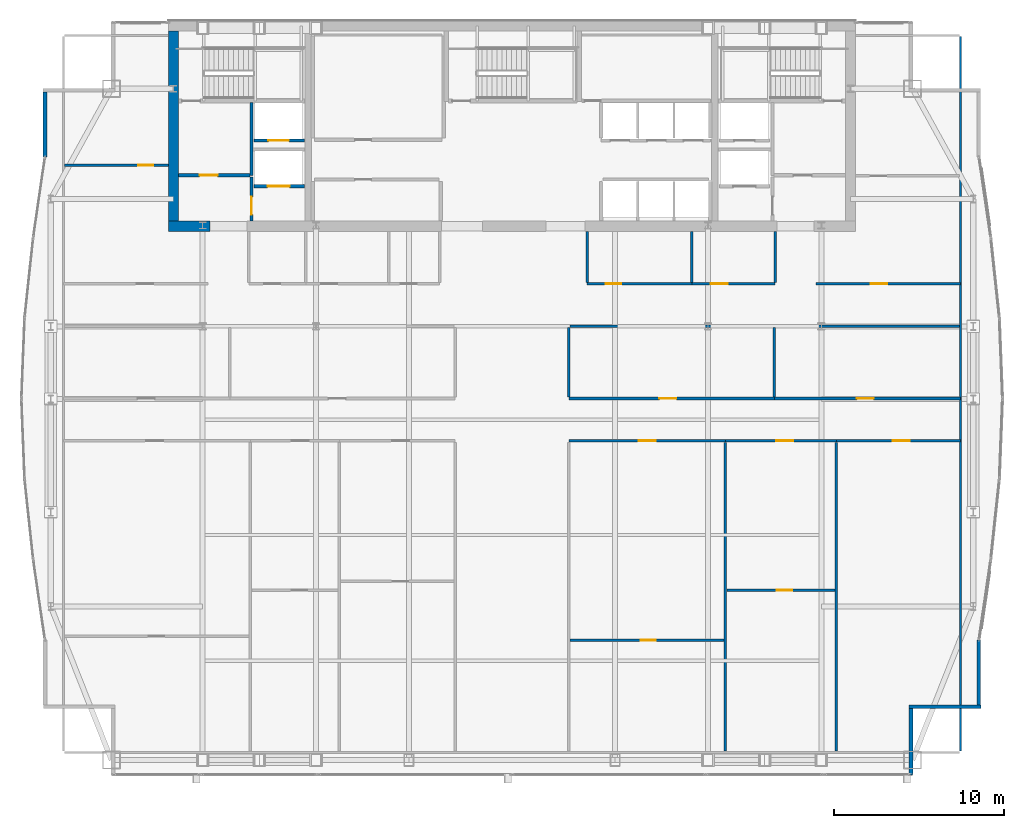
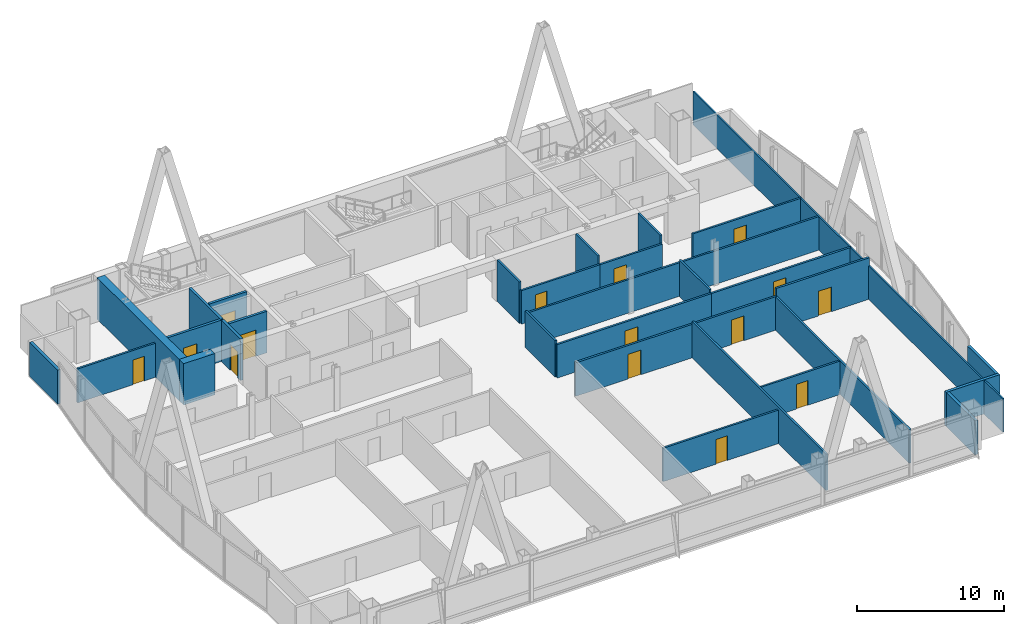
# One storey, part 27 of 31: 31 walls, 15 doors, 15 openings.
"""IFC4 building model written with IfcOpenShell, lengths in metres."""

from ifc_helpers import new_model, si_unit, direction, frame, frame_2d, origin, place, context, subcontext, project, spatial, rectangle, extrude, material, layer, layer_set, type_object, element, fill, save


model = new_model("IFC4")

# Units and contexts
model_context = context("Model", 3, precision=1e-05, world=origin(), true_north=direction((0.0, 1.0)))
body_context = subcontext(model_context, "Body", "Model", "MODEL_VIEW")
ifc_project = project(units=[si_unit("LENGTHUNIT", "METRE"), si_unit("AREAUNIT", "SQUARE_METRE"), si_unit("VOLUMEUNIT", "CUBIC_METRE"), si_unit("PLANEANGLEUNIT", "RADIAN"), si_unit("MASSUNIT", "GRAM", prefix="KILO")], contexts=[model_context])

# Site, building, storey
site_placement = place(None, origin())
site = spatial("IfcSite", under=ifc_project, at=site_placement, CompositionType="ELEMENT")
building_placement = place(site_placement, origin())
building = spatial("IfcBuilding", under=site, at=building_placement, Name="Khoronbel Lancet Exchange", CompositionType="ELEMENT")
storey_placement = place(building_placement, frame((0.0, 0.0, 249.800048828125)))
storey = spatial("IfcBuildingStorey", under=building, at=storey_placement, Name="L64", CompositionType="ELEMENT", Elevation=249.800048828125)

# Walls
ifc_material_1 = material(Name="Concrete C60/75", Category="concrete")
ifc_layer_1 = layer(ifc_material_1, 0.60009765625, Name="Concrete C60/75")
ifc_layer_set_1 = layer_set([ifc_layer_1], Name="Concrete C60/75")
wall_type_1 = type_object("IfcWallType", Name="WL-CW3", PredefinedType="SHEAR", material=ifc_layer_set_1)
wall_1_placement = place(storey_placement, frame((16.5, 41.89990234375, 0.0), z_axis=(0.0, 0.0, 1.0), x_axis=(0.0, 1.0, 0.0)))
element("IfcWall", 1, at=wall_1_placement, inside=storey, type_object=wall_type_1, Name="Level L64 rear core west shear wall", PredefinedType="SHEAR", context=body_context, shape_type="SweptSolid", body=[
    extrude(rectangle(XDim=11.2001953125, YDim=0.60009765625, at=frame_2d((5.60009765625, 0.0))), origin(), (0.0, 0.0, 1.0), 3.43994140625),
])
wall_2_placement = place(storey_placement, frame((18.64990234375, 41.60009765625, 0.0), z_axis=(0.0, 0.0, 1.0), x_axis=(-1.0, 0.0, 0.0)))
element("IfcWall", 2, at=wall_2_placement, inside=storey, type_object=wall_type_1, Name="Level L64 rear core south shear wall pier P1", PredefinedType="SHEAR", context=body_context, shape_type="SweptSolid", body=[
    extrude(rectangle(XDim=2.449951171875, YDim=0.60009765625, at=frame_2d((1.22509765625, 0.0))), origin(), (0.0, 0.0, 1.0), 3.43994140625),
])
ifc_material_2 = material(Name="Precast concrete C40/50", Category="concrete")
ifc_layer_2 = layer(ifc_material_2, 0.25, Name="Precast concrete C40/50")
ifc_layer_set_2 = layer_set([ifc_layer_2], Name="Precast concrete C40/50")
wall_type_2 = type_object("IfcWallType", Name="WL-EXT250", PredefinedType="SOLIDWALL", material=ifc_layer_set_2)
wall_3_placement = place(storey_placement, frame((8.93994140625, 45.673583984375, 0.0), z_axis=(0.0, 0.0, 1.0), x_axis=(0.0, 1.0, 0.0)))
element("IfcWall", 3, at=wall_3_placement, inside=storey, type_object=wall_type_2, Name="Level L64 notched-corner limestone pier 10", PredefinedType="SOLIDWALL", context=body_context, shape_type="SweptSolid", body=[
    extrude(rectangle(XDim=3.826416015625, YDim=0.219970703125, at=frame_2d((1.9130859375, 0.0))), origin(), (0.0, 0.0, 1.0), 2.829833984375),
])
wall_4_placement = place(storey_placement, frame((63.9599609375, 17.2265625, 0.0), z_axis=(0.0, 0.0, 1.0), x_axis=(0.0, -1.0, 0.0)))
element("IfcWall", 4, at=wall_4_placement, inside=storey, type_object=wall_type_2, Name="Level L64 notched-corner limestone pier 23", PredefinedType="SOLIDWALL", context=body_context, shape_type="SweptSolid", body=[
    extrude(rectangle(XDim=3.82666015625, YDim=0.219970703125, at=frame_2d((1.913330078125, 0.0))), origin(), (0.0, 0.0, 1.0), 2.829833984375),
])
wall_5_placement = place(storey_placement, frame((64.070068359375, 13.2900390625, 0.0), z_axis=(0.0, 0.0, 1.0), x_axis=(-1.0, 0.0, 0.0)))
element("IfcWall", 5, at=wall_5_placement, inside=storey, type_object=wall_type_2, Name="Level L64 notched-corner limestone pier 24", PredefinedType="SOLIDWALL", context=body_context, shape_type="SweptSolid", body=[
    extrude(rectangle(XDim=4.219970703125, YDim=0.219970703125, at=frame_2d((2.10986328125, 0.0))), origin(), (0.0, 0.0, 1.0), 2.829833984375),
])
wall_6_placement = place(storey_placement, frame((59.9599609375, 13.179931640625, 0.0), z_axis=(0.0, 0.0, 1.0), x_axis=(0.0, -1.0, 0.0)))
element("IfcWall", 6, at=wall_6_placement, inside=storey, type_object=wall_type_2, Name="Level L64 notched-corner limestone pier 25", PredefinedType="SOLIDWALL", context=body_context, shape_type="SweptSolid", body=[
    extrude(rectangle(XDim=3.909912109375, YDim=0.219970703125, at=frame_2d((1.955078125, 0.0))), origin(), (0.0, 0.0, 1.0), 2.829833984375),
])
ifc_material_3 = material(Name="Acoustic Metal-Stud & Mineral-Wool Gypsum Partition 120 mm", Category="gypsum")
ifc_layer_3 = layer(ifc_material_3, 0.1201171875, Name="Acoustic Metal-Stud & Mineral-Wool Gypsum Partition 120 mm")
ifc_layer_set_3 = layer_set([ifc_layer_3], Name="Acoustic Metal-Stud & Mineral-Wool Gypsum Partition 120 mm")
wall_type_3 = type_object("IfcWallType", Name="WL-PRT120", PredefinedType="PARTITIONING", material=ifc_layer_set_3)
for number, where, z_axis, x_axis, name in (
    (7, (40.8798828125, 38.280029296875, 0.0), (0.0, 0.0, 1.0), (0.0, 1.0, 0.0), "Level L64 interior partition PW-NP-0"),
    (8, (47.050048828125, 38.280029296875, 0.0), (0.0, 0.0, 1.0), (0.0, 1.0, 0.0), "Level L64 interior partition PW-NP-M"),
    (9, (51.949951171875, 38.280029296875, 0.0), (0.0, 0.0, 1.0), (0.0, 1.0, 0.0), "Level L64 interior partition PW-NP-1"),
):
    element("IfcWall", number, at=place(storey_placement, frame(where, z_axis=z_axis, x_axis=x_axis)), inside=storey, type_object=wall_type_3, Name=name, PredefinedType="PARTITIONING", context=body_context, shape_type="SweptSolid", body=[
        extrude(rectangle(XDim=3.02001953125, YDim=0.14990234375, at=frame_2d((1.510009765625, 0.0))), origin(), (0.0, 0.0, 1.0), 3.43994140625),
    ])

# Wall, opening, door
wall_7_placement = place(storey_placement, frame((10.094970703125, 45.199951171875, 0.0), z_axis=(0.0, 0.0, 1.0), x_axis=(1.0, 0.0, 0.0)))
wall_7 = element("IfcWall", 10, at=wall_7_placement, inside=storey, type_object=wall_type_3, Name="Level L64 interior partition PW-NW-H", PredefinedType="PARTITIONING", context=body_context, shape_type="SweptSolid", body=[
    extrude(rectangle(XDim=6.10498046875, YDim=0.14990234375, at=frame_2d((3.052490234375, 0.0))), origin(), (0.0, 0.0, 1.0), 2.829833984375),
])
opening_1_placement = place(wall_7_placement, frame((4.320068359375, 0.0, 0.0)))
opening_1 = element("IfcOpeningElement", 11, at=opening_1_placement, cuts=wall_7, Name="Opening D5", PredefinedType="OPENING", context=body_context, shape_type="SweptSolid", body=[
    extrude(rectangle(XDim=0.89990234375, YDim=2.050048828125, at=frame_2d((0.449951171875, 1.02490234375))), frame((0.0, 0.0849609375, 0.0), z_axis=(0.0, -1.0, 0.0), x_axis=(1.0, 0.0, 0.0)), (0.0, 0.0, 1.0), 0.169921875),
])
ifc_material_4 = material(Name="Acoustic Timber Pantry & Support Door", Category="wood")
door_type_1 = type_object("IfcDoorType", Name="DR-D5", OperationType="NOTDEFINED", PredefinedType="DOOR", material=ifc_material_4)
door_1_placement = place(opening_1_placement, origin())
door_1 = element("IfcDoor", 12, at=door_1_placement, inside=storey, type_object=door_type_1, Name="NW north room door L64-1", OperationType="SINGLE_SWING_LEFT", OverallHeight=2.050048828125, OverallWidth=0.89990234375, PredefinedType="DOOR", context=body_context, shape_type="SweptSolid", body=[
    extrude(rectangle(XDim=0.89990234375, YDim=2.050048828125, at=frame_2d((0.449951171875, 1.02490234375))), frame((0.0, 0.02490234375, 0.0), z_axis=(0.0, -1.0, 0.0), x_axis=(1.0, 0.0, 0.0)), (0.0, 0.0, 1.0), 0.050048828125),
])
fill(opening_1, door_1)

wall_8_placement = place(storey_placement, frame((39.8798828125, 17.2060546875, 0.0), z_axis=(0.0, 0.0, 1.0), x_axis=(1.0, 0.0, 0.0)))
wall_8 = element("IfcWall", 13, at=wall_8_placement, inside=storey, type_object=wall_type_3, Name="Level L64 interior partition PW-Z3SE-H1", PredefinedType="PARTITIONING", context=body_context, shape_type="SweptSolid", body=[
    extrude(rectangle(XDim=9.068115234375, YDim=0.14990234375, at=frame_2d((4.5341796875, 0.0))), origin(), (0.0, 0.0, 1.0), 2.780029296875),
])
opening_2_placement = place(wall_8_placement, frame((4.152587890625, 0.0, 0.0)))
opening_2 = element("IfcOpeningElement", 14, at=opening_2_placement, cuts=wall_8, Name="Opening D5", PredefinedType="OPENING", context=body_context, shape_type="SweptSolid", body=[
    extrude(rectangle(XDim=0.89990234375, YDim=2.050048828125, at=frame_2d((0.449951171875, 1.02490234375))), frame((0.0, 0.0849609375, 0.0), z_axis=(0.0, -1.0, 0.0), x_axis=(1.0, 0.0, 0.0)), (0.0, 0.0, 1.0), 0.169921875),
])
door_2_placement = place(opening_2_placement, origin())
door_2 = element("IfcDoor", 15, at=door_2_placement, inside=storey, type_object=door_type_1, Name="Z3SE inner door 1 L64-1", OperationType="SINGLE_SWING_RIGHT", OverallHeight=2.050048828125, OverallWidth=0.89990234375, PredefinedType="DOOR", context=body_context, shape_type="SweptSolid", body=[
    extrude(rectangle(XDim=0.89990234375, YDim=2.050048828125, at=frame_2d((0.449951171875, 1.02490234375))), frame((0.0, 0.02490234375, 0.0), z_axis=(0.0, -1.0, 0.0), x_axis=(1.0, 0.0, 0.0)), (0.0, 0.0, 1.0), 0.050048828125),
])
fill(opening_2, door_2)

wall_9_placement = place(storey_placement, frame((49.10791015625, 20.14208984375, 0.0), z_axis=(0.0, 0.0, 1.0), x_axis=(1.0, 0.0, 0.0)))
wall_9 = element("IfcWall", 16, at=wall_9_placement, inside=storey, type_object=wall_type_3, Name="Level L64 interior partition PW-Z3SE-H2", PredefinedType="PARTITIONING", context=body_context, shape_type="SweptSolid", body=[
    extrude(rectangle(XDim=6.376708984375, YDim=0.14990234375, at=frame_2d((3.1884765625, 0.0))), origin(), (0.0, 0.0, 1.0), 2.780029296875),
])
opening_3_placement = place(wall_9_placement, frame((2.94140625, 0.0, 0.0)))
opening_3 = element("IfcOpeningElement", 17, at=opening_3_placement, cuts=wall_9, Name="Opening D5", PredefinedType="OPENING", context=body_context, shape_type="SweptSolid", body=[
    extrude(rectangle(XDim=0.89990234375, YDim=2.050048828125, at=frame_2d((0.449951171875, 1.02490234375))), frame((0.0, 0.0849609375, 0.0), z_axis=(0.0, -1.0, 0.0), x_axis=(1.0, 0.0, 0.0)), (0.0, 0.0, 1.0), 0.169921875),
])
door_3_placement = place(opening_3_placement, origin())
door_3 = element("IfcDoor", 18, at=door_3_placement, inside=storey, type_object=door_type_1, Name="Z3SE inner door 2 L64-1", OperationType="SINGLE_SWING_RIGHT", OverallHeight=2.050048828125, OverallWidth=0.89990234375, PredefinedType="DOOR", context=body_context, shape_type="SweptSolid", body=[
    extrude(rectangle(XDim=0.89990234375, YDim=2.050048828125, at=frame_2d((0.449951171875, 1.02490234375))), frame((0.0, 0.02490234375, 0.0), z_axis=(0.0, -1.0, 0.0), x_axis=(1.0, 0.0, 0.0)), (0.0, 0.0, 1.0), 0.050048828125),
])
fill(opening_3, door_3)

# Wall
wall_10_placement = place(storey_placement, frame((62.8701171875, 10.6650390625, 0.0), z_axis=(0.0, 0.0, 1.0), x_axis=(0.0, 1.0, 0.0)))
element("IfcWall", 19, at=wall_10_placement, inside=storey, type_object=wall_type_3, Name="Level L64 interior partition PW-LIN-E", PredefinedType="PARTITIONING", context=body_context, shape_type="SweptSolid", body=[
    extrude(rectangle(XDim=42.10986328125, YDim=0.1201171875, at=frame_2d((21.054931640625, 0.0))), origin(), (0.0, 0.0, 1.0), 2.780029296875),
])

# Wall, opening, door
ifc_material_5 = material(Name="Fire-Rated Twin-Stud Acoustic Gypsum Partition 150 mm", Category="gypsum")
ifc_layer_4 = layer(ifc_material_5, 0.14990234375, Name="Fire-Rated Twin-Stud Acoustic Gypsum Partition 150 mm")
ifc_layer_set_4 = layer_set([ifc_layer_4], Name="Fire-Rated Twin-Stud Acoustic Gypsum Partition 150 mm")
wall_type_4 = type_object("IfcWallType", Name="WL-PRT150C", PredefinedType="PARTITIONING", material=ifc_layer_set_4)
wall_11_placement = place(storey_placement, frame((40.8798828125, 38.199951171875, 0.0), z_axis=(0.0, 0.0, 1.0), x_axis=(1.0, 0.0, 0.0)))
wall_11 = element("IfcWall", 20, at=wall_11_placement, inside=storey, type_object=wall_type_4, Name="Level L64 interior partition PW-NP-S1", PredefinedType="PARTITIONING", context=body_context, shape_type="SweptSolid", body=[
    extrude(rectangle(XDim=6.170166015625, YDim=0.14990234375, at=frame_2d((3.0849609375, 0.0))), origin(), (0.0, 0.0, 1.0), 2.780029296875),
])
opening_4_placement = place(wall_11_placement, frame((1.10009765625, 0.0, 0.0)))
opening_4 = element("IfcOpeningElement", 21, at=opening_4_placement, cuts=wall_11, Name="Opening D5", PredefinedType="OPENING", context=body_context, shape_type="SweptSolid", body=[
    extrude(rectangle(XDim=0.89990234375, YDim=2.050048828125, at=frame_2d((0.449951171875, 1.02490234375))), frame((0.0, 0.0849609375, 0.0), z_axis=(0.0, -1.0, 0.0), x_axis=(1.0, 0.0, 0.0)), (0.0, 0.0, 1.0), 0.169921875),
])
door_4_placement = place(opening_4_placement, origin())
door_4 = element("IfcDoor", 22, at=door_4_placement, inside=storey, type_object=door_type_1, Name="Floor refreshment pantry door L64-1", OperationType="SINGLE_SWING_LEFT", OverallHeight=2.050048828125, OverallWidth=0.89990234375, PredefinedType="DOOR", context=body_context, shape_type="SweptSolid", body=[
    extrude(rectangle(XDim=0.89990234375, YDim=2.050048828125, at=frame_2d((0.449951171875, 1.02490234375))), frame((0.0, 0.02490234375, 0.0), z_axis=(0.0, -1.0, 0.0), x_axis=(1.0, 0.0, 0.0)), (0.0, 0.0, 1.0), 0.050048828125),
])
fill(opening_4, door_4)

wall_12_placement = place(storey_placement, frame((47.050048828125, 38.199951171875, 0.0), z_axis=(0.0, 0.0, 1.0), x_axis=(1.0, 0.0, 0.0)))
wall_12 = element("IfcWall", 23, at=wall_12_placement, inside=storey, type_object=wall_type_4, Name="Level L64 interior partition PW-NP-S2", PredefinedType="PARTITIONING", context=body_context, shape_type="SweptSolid", body=[
    extrude(rectangle(XDim=4.89990234375, YDim=0.14990234375, at=frame_2d((2.449951171875, 0.0))), origin(), (0.0, 0.0, 1.0), 2.780029296875),
])
opening_5_placement = place(wall_12_placement, frame((1.10009765625, 0.0, 0.0)))
opening_5 = element("IfcOpeningElement", 24, at=opening_5_placement, cuts=wall_12, Name="Opening D2", PredefinedType="OPENING", context=body_context, shape_type="SweptSolid", body=[
    extrude(rectangle(XDim=1.0, YDim=2.050048828125, at=frame_2d((0.5, 1.02490234375))), frame((0.0, 0.0849609375, 0.0), z_axis=(0.0, -1.0, 0.0), x_axis=(1.0, 0.0, 0.0)), (0.0, 0.0, 1.0), 0.169921875),
])
ifc_material_6 = material(Name="Acoustic Veneered Timber & Bronze Frame Door", Category="wood")
door_type_2 = type_object("IfcDoorType", Name="DR-D2", OperationType="NOTDEFINED", PredefinedType="DOOR", material=ifc_material_6)
door_5_placement = place(opening_5_placement, origin())
door_5 = element("IfcDoor", 25, at=door_5_placement, inside=storey, type_object=door_type_2, Name="Floor store door L64-1", OperationType="SINGLE_SWING_RIGHT", OverallHeight=2.050048828125, OverallWidth=1.0, PredefinedType="DOOR", context=body_context, shape_type="SweptSolid", body=[
    extrude(rectangle(XDim=1.0, YDim=2.050048828125, at=frame_2d((0.5, 1.02490234375))), frame((0.0, 0.02490234375, 0.0), z_axis=(0.0, -1.0, 0.0), x_axis=(1.0, 0.0, 0.0)), (0.0, 0.0, 1.0), 0.050048828125),
])
fill(opening_5, door_5)

wall_13_placement = place(storey_placement, frame((54.35009765625, 38.199951171875, 0.0), z_axis=(0.0, 0.0, 1.0), x_axis=(1.0, 0.0, 0.0)))
wall_13 = element("IfcWall", 26, at=wall_13_placement, inside=storey, type_object=wall_type_4, Name="Level L64 interior partition PW-NE-S", PredefinedType="PARTITIONING", context=body_context, shape_type="SweptSolid", body=[
    extrude(rectangle(XDim=8.52001953125, YDim=0.14990234375, at=frame_2d((4.260009765625, 0.0))), origin(), (0.0, 0.0, 1.0), 2.780029296875),
])
opening_6_placement = place(wall_13_placement, frame((3.25, 0.0, 0.0)))
opening_6 = element("IfcOpeningElement", 27, at=opening_6_placement, cuts=wall_13, Name="Opening D1", PredefinedType="OPENING", context=body_context, shape_type="SweptSolid", body=[
    extrude(rectangle(XDim=0.949951171875, YDim=2.050048828125, at=frame_2d((0.47509765625, 1.02490234375))), frame((0.0, 0.0849609375, 0.0), z_axis=(0.0, -1.0, 0.0), x_axis=(1.0, 0.0, 0.0)), (0.0, 0.0, 1.0), 0.169921875),
])
door_type_3 = type_object("IfcDoorType", Name="DR-D1", OperationType="NOTDEFINED", PredefinedType="DOOR", material=ifc_material_6)
door_6_placement = place(opening_6_placement, origin())
door_6 = element("IfcDoor", 28, at=door_6_placement, inside=storey, type_object=door_type_3, Name="NE corner room door L64-1", OperationType="SINGLE_SWING_RIGHT", OverallHeight=2.050048828125, OverallWidth=0.949951171875, PredefinedType="DOOR", context=body_context, shape_type="SweptSolid", body=[
    extrude(rectangle(XDim=0.949951171875, YDim=2.050048828125, at=frame_2d((0.47509765625, 1.02490234375))), frame((0.0, 0.02490234375, 0.0), z_axis=(0.0, -1.0, 0.0), x_axis=(1.0, 0.0, 0.0)), (0.0, 0.0, 1.0), 0.050048828125),
])
fill(opening_6, door_6)

# Walls
wall_14_placement = place(storey_placement, frame((39.800048828125, 31.534912109375, 0.0), z_axis=(0.0, 0.0, 1.0), x_axis=(0.0, 1.0, 0.0)))
element("IfcWall", 29, at=wall_14_placement, inside=storey, type_object=wall_type_4, Name="Level L64 interior partition PW-Z3-CE2", PredefinedType="PARTITIONING", context=body_context, shape_type="SweptSolid", body=[
    extrude(rectangle(XDim=4.085205078125, YDim=0.14990234375, at=frame_2d((2.04248046875, 0.0))), origin(), (0.0, 0.0, 1.0), 3.030029296875),
])
wall_15_placement = place(storey_placement, frame((39.8798828125, 35.699951171875, 0.0), z_axis=(0.0, 0.0, 1.0), x_axis=(1.0, 0.0, 0.0)))
element("IfcWall", 30, at=wall_15_placement, inside=storey, type_object=wall_type_4, Name="Level L64 interior partition PW-Z3-EN", PredefinedType="PARTITIONING", context=body_context, shape_type="SweptSolid", body=[
    extrude(rectangle(XDim=22.925048828125, YDim=0.14990234375, at=frame_2d((11.46240234375, 0.0))), origin(), (0.0, 0.0, 1.0), 2.780029296875),
])
wall_16_placement = place(storey_placement, frame((49.028076171875, 10.6650390625, 0.0), z_axis=(0.0, 0.0, 1.0), x_axis=(0.0, 1.0, 0.0)))
element("IfcWall", 31, at=wall_16_placement, inside=storey, type_object=wall_type_4, Name="Level L64 interior partition PW-Z3SE-V1", PredefinedType="PARTITIONING", context=body_context, shape_type="SweptSolid", body=[
    extrude(rectangle(XDim=18.199951171875, YDim=0.14990234375, at=frame_2d((9.10009765625, 0.0))), origin(), (0.0, 0.0, 1.0), 3.030029296875),
])
wall_17_placement = place(storey_placement, frame((55.564453125, 10.6650390625, 0.0), z_axis=(0.0, 0.0, 1.0), x_axis=(0.0, 1.0, 0.0)))
element("IfcWall", 32, at=wall_17_placement, inside=storey, type_object=wall_type_4, Name="Level L64 interior partition PW-Z3SE-V2", PredefinedType="PARTITIONING", context=body_context, shape_type="SweptSolid", body=[
    extrude(rectangle(XDim=18.199951171875, YDim=0.14990234375, at=frame_2d((9.10009765625, 0.0))), origin(), (0.0, 0.0, 1.0), 2.780029296875),
])
wall_18_placement = place(storey_placement, frame((51.91162109375, 31.534912109375, 0.0), z_axis=(0.0, 0.0, 1.0), x_axis=(0.0, 1.0, 0.0)))
element("IfcWall", 33, at=wall_18_placement, inside=storey, type_object=wall_type_4, Name="Level L64 interior partition PW-Z3NE-V1", PredefinedType="PARTITIONING", context=body_context, shape_type="SweptSolid", body=[
    extrude(rectangle(XDim=4.085205078125, YDim=0.14990234375, at=frame_2d((2.04248046875, 0.0))), origin(), (0.0, 0.0, 1.0), 3.030029296875),
])

# Wall, opening, door
ifc_material_7 = material(Name="Fire-Rated Twin-Stud Acoustic Gypsum Partition 160 mm", Category="gypsum")
ifc_layer_5 = layer(ifc_material_7, 0.159912109375, Name="Fire-Rated Twin-Stud Acoustic Gypsum Partition 160 mm")
ifc_layer_set_5 = layer_set([ifc_layer_5], Name="Fire-Rated Twin-Stud Acoustic Gypsum Partition 160 mm")
wall_type_5 = type_object("IfcWallType", Name="WL-PRT160C", PredefinedType="PARTITIONING", material=ifc_layer_set_5)
wall_19_placement = place(storey_placement, frame((39.800048828125, 28.949951171875, 0.0), z_axis=(0.0, 0.0, 1.0), x_axis=(1.0, 0.0, 0.0)))
wall_19 = element("IfcWall", 34, at=wall_19_placement, inside=storey, type_object=wall_type_5, Name="Level L64 interior partition PW-Z3SE-COR1", PredefinedType="PARTITIONING", context=body_context, shape_type="SweptSolid", body=[
    extrude(rectangle(XDim=9.22802734375, YDim=0.159912109375, at=frame_2d((4.614013671875, 0.0))), origin(), (0.0, 0.0, 1.0), 2.780029296875),
])
opening_7_placement = place(wall_19_placement, frame((4.125732421875, 0.0, 0.0)))
opening_7 = element("IfcOpeningElement", 35, at=opening_7_placement, cuts=wall_19, Name="Opening D2", PredefinedType="OPENING", context=body_context, shape_type="SweptSolid", body=[
    extrude(rectangle(XDim=1.0, YDim=2.050048828125, at=frame_2d((0.5, 1.02490234375))), frame((0.0, 0.08984375, 0.0), z_axis=(0.0, -1.0, 0.0), x_axis=(1.0, 0.0, 0.0)), (0.0, 0.0, 1.0), 0.179931640625),
])
door_7_placement = place(opening_7_placement, origin())
door_7 = element("IfcDoor", 36, at=door_7_placement, inside=storey, type_object=door_type_2, Name="Z3SE bay 1 door L64-1", OperationType="SINGLE_SWING_LEFT", OverallHeight=2.050048828125, OverallWidth=1.0, PredefinedType="DOOR", context=body_context, shape_type="SweptSolid", body=[
    extrude(rectangle(XDim=1.0, YDim=2.050048828125, at=frame_2d((0.5, 1.02490234375))), frame((0.0, 0.02490234375, 0.0), z_axis=(0.0, -1.0, 0.0), x_axis=(1.0, 0.0, 0.0)), (0.0, 0.0, 1.0), 0.050048828125),
])
fill(opening_7, door_7)

wall_20_placement = place(storey_placement, frame((49.028076171875, 28.949951171875, 0.0), z_axis=(0.0, 0.0, 1.0), x_axis=(1.0, 0.0, 0.0)))
wall_20 = element("IfcWall", 37, at=wall_20_placement, inside=storey, type_object=wall_type_5, Name="Level L64 interior partition PW-Z3SE-COR2", PredefinedType="PARTITIONING", context=body_context, shape_type="SweptSolid", body=[
    extrude(rectangle(XDim=6.536376953125, YDim=0.159912109375, at=frame_2d((3.26806640625, 0.0))), origin(), (0.0, 0.0, 1.0), 2.780029296875),
])
opening_8_placement = place(wall_20_placement, frame((2.995361328125, 0.0, 0.0)))
opening_8 = element("IfcOpeningElement", 38, at=opening_8_placement, cuts=wall_20, Name="Opening D2", PredefinedType="OPENING", context=body_context, shape_type="SweptSolid", body=[
    extrude(rectangle(XDim=1.0, YDim=2.050048828125, at=frame_2d((0.5, 1.02490234375))), frame((0.0, 0.08984375, 0.0), z_axis=(0.0, -1.0, 0.0), x_axis=(1.0, 0.0, 0.0)), (0.0, 0.0, 1.0), 0.179931640625),
])
door_8_placement = place(opening_8_placement, origin())
door_8 = element("IfcDoor", 39, at=door_8_placement, inside=storey, type_object=door_type_2, Name="Z3SE bay 2 door L64-1", OperationType="SINGLE_SWING_LEFT", OverallHeight=2.050048828125, OverallWidth=1.0, PredefinedType="DOOR", context=body_context, shape_type="SweptSolid", body=[
    extrude(rectangle(XDim=1.0, YDim=2.050048828125, at=frame_2d((0.5, 1.02490234375))), frame((0.0, 0.02490234375, 0.0), z_axis=(0.0, -1.0, 0.0), x_axis=(1.0, 0.0, 0.0)), (0.0, 0.0, 1.0), 0.050048828125),
])
fill(opening_8, door_8)

wall_21_placement = place(storey_placement, frame((55.564453125, 28.949951171875, 0.0), z_axis=(0.0, 0.0, 1.0), x_axis=(1.0, 0.0, 0.0)))
wall_21 = element("IfcWall", 40, at=wall_21_placement, inside=storey, type_object=wall_type_5, Name="Level L64 interior partition PW-Z3SE-COR3", PredefinedType="PARTITIONING", context=body_context, shape_type="SweptSolid", body=[
    extrude(rectangle(XDim=7.3056640625, YDim=0.159912109375, at=frame_2d((3.65283203125, 0.0))), origin(), (0.0, 0.0, 1.0), 3.43994140625),
])
opening_9_placement = place(wall_21_placement, frame((3.318359375, 0.0, 0.0)))
opening_9 = element("IfcOpeningElement", 41, at=opening_9_placement, cuts=wall_21, Name="Opening D2", PredefinedType="OPENING", context=body_context, shape_type="SweptSolid", body=[
    extrude(rectangle(XDim=1.0, YDim=2.050048828125, at=frame_2d((0.5, 1.02490234375))), frame((0.0, 0.08984375, 0.0), z_axis=(0.0, -1.0, 0.0), x_axis=(1.0, 0.0, 0.0)), (0.0, 0.0, 1.0), 0.179931640625),
])
door_9_placement = place(opening_9_placement, origin())
door_9 = element("IfcDoor", 42, at=door_9_placement, inside=storey, type_object=door_type_2, Name="Z3SE bay 3 door L64-1", OperationType="SINGLE_SWING_LEFT", OverallHeight=2.050048828125, OverallWidth=1.0, PredefinedType="DOOR", context=body_context, shape_type="SweptSolid", body=[
    extrude(rectangle(XDim=1.0, YDim=2.050048828125, at=frame_2d((0.5, 1.02490234375))), frame((0.0, 0.02490234375, 0.0), z_axis=(0.0, -1.0, 0.0), x_axis=(1.0, 0.0, 0.0)), (0.0, 0.0, 1.0), 0.050048828125),
])
fill(opening_9, door_9)

wall_22_placement = place(storey_placement, frame((39.800048828125, 31.449951171875, 0.0), z_axis=(0.0, 0.0, 1.0), x_axis=(1.0, 0.0, 0.0)))
wall_22 = element("IfcWall", 43, at=wall_22_placement, inside=storey, type_object=wall_type_5, Name="Level L64 interior partition PW-Z3NE-COR1", PredefinedType="PARTITIONING", context=body_context, shape_type="SweptSolid", body=[
    extrude(rectangle(XDim=12.111572265625, YDim=0.159912109375, at=frame_2d((6.0556640625, 0.0))), origin(), (0.0, 0.0, 1.0), 2.780029296875),
])
opening_10_placement = place(wall_22_placement, frame((5.3369140625, 0.0, 0.0)))
opening_10 = element("IfcOpeningElement", 44, at=opening_10_placement, cuts=wall_22, Name="Opening D2", PredefinedType="OPENING", context=body_context, shape_type="SweptSolid", body=[
    extrude(rectangle(XDim=1.0, YDim=2.050048828125, at=frame_2d((0.5, 1.02490234375))), frame((0.0, 0.08984375, 0.0), z_axis=(0.0, -1.0, 0.0), x_axis=(1.0, 0.0, 0.0)), (0.0, 0.0, 1.0), 0.179931640625),
])
door_10_placement = place(opening_10_placement, origin())
door_10 = element("IfcDoor", 45, at=door_10_placement, inside=storey, type_object=door_type_2, Name="Z3NE bay 1 door L64-1", OperationType="SINGLE_SWING_RIGHT", OverallHeight=2.050048828125, OverallWidth=1.0, PredefinedType="DOOR", context=body_context, shape_type="SweptSolid", body=[
    extrude(rectangle(XDim=1.0, YDim=2.050048828125, at=frame_2d((0.5, 1.02490234375))), frame((0.0, 0.02490234375, 0.0), z_axis=(0.0, -1.0, 0.0), x_axis=(1.0, 0.0, 0.0)), (0.0, 0.0, 1.0), 0.050048828125),
])
fill(opening_10, door_10)

wall_23_placement = place(storey_placement, frame((51.91162109375, 31.449951171875, 0.0), z_axis=(0.0, 0.0, 1.0), x_axis=(1.0, 0.0, 0.0)))
wall_23 = element("IfcWall", 46, at=wall_23_placement, inside=storey, type_object=wall_type_5, Name="Level L64 interior partition PW-Z3NE-COR2", PredefinedType="PARTITIONING", context=body_context, shape_type="SweptSolid", body=[
    extrude(rectangle(XDim=10.95849609375, YDim=0.159912109375, at=frame_2d((5.479248046875, 0.0))), origin(), (0.0, 0.0, 1.0), 2.780029296875),
])
opening_11_placement = place(wall_23_placement, frame((4.8525390625, 0.0, 0.0)))
opening_11 = element("IfcOpeningElement", 47, at=opening_11_placement, cuts=wall_23, Name="Opening D2", PredefinedType="OPENING", context=body_context, shape_type="SweptSolid", body=[
    extrude(rectangle(XDim=1.0, YDim=2.050048828125, at=frame_2d((0.5, 1.02490234375))), frame((0.0, 0.08984375, 0.0), z_axis=(0.0, -1.0, 0.0), x_axis=(1.0, 0.0, 0.0)), (0.0, 0.0, 1.0), 0.179931640625),
])
door_11_placement = place(opening_11_placement, origin())
door_11 = element("IfcDoor", 48, at=door_11_placement, inside=storey, type_object=door_type_2, Name="Z3NE bay 2 door L64-1", OperationType="SINGLE_SWING_LEFT", OverallHeight=2.050048828125, OverallWidth=1.0, PredefinedType="DOOR", context=body_context, shape_type="SweptSolid", body=[
    extrude(rectangle(XDim=1.0, YDim=2.050048828125, at=frame_2d((0.5, 1.02490234375))), frame((0.0, 0.02490234375, 0.0), z_axis=(0.0, -1.0, 0.0), x_axis=(1.0, 0.0, 0.0)), (0.0, 0.0, 1.0), 0.050048828125),
])
fill(opening_11, door_11)

ifc_material_8 = material(Name="Autoclaved Aerated Concrete Blockwork 200 mm", Category="masonry")
ifc_layer_6 = layer(ifc_material_8, 0.199951171875, Name="Autoclaved Aerated Concrete Blockwork 200 mm")
ifc_layer_set_6 = layer_set([ifc_layer_6], Name="Autoclaved Aerated Concrete Blockwork 200 mm")
wall_type_6 = type_object("IfcWallType", Name="WL-PRT200", PredefinedType="PARTITIONING", material=ifc_layer_set_6)
wall_24_placement = place(storey_placement, frame((24.2099609375, 43.949951171875, 0.0), z_axis=(0.0, 0.0, 1.0), x_axis=(-1.0, 0.0, 0.0)))
wall_24 = element("IfcWall", 49, at=wall_24_placement, inside=storey, type_object=wall_type_6, Name="Level L64 elevator hoistway landing front wall SVLW", PredefinedType="PARTITIONING", context=body_context, shape_type="SweptSolid", body=[
    extrude(rectangle(XDim=2.969970703125, YDim=0.199951171875, at=frame_2d((1.48486328125, 0.0))), origin(), (0.0, 0.0, 1.0), 3.43994140625),
])
opening_12_placement = place(wall_24_placement, frame((0.860107421875, 0.0, 0.0)))
opening_12 = element("IfcOpeningElement", 50, at=opening_12_placement, cuts=wall_24, Name="Opening LD-SVL1", PredefinedType="OPENING", context=body_context, shape_type="SweptSolid", body=[
    extrude(rectangle(XDim=1.300048828125, YDim=2.179931640625, at=frame_2d((0.64990234375, 1.08984375))), frame((0.0, 0.10986328125, 0.0), z_axis=(0.0, -1.0, 0.0), x_axis=(1.0, 0.0, 0.0)), (0.0, 0.0, 1.0), 0.219970703125),
])
ifc_material_9 = material(Name="Heavy-Duty Bi-Parting Goods Lift Landing Door", Category="steel")
door_type_4 = type_object("IfcDoorType", Name="DR-LD-SVL", OperationType="NOTDEFINED", PredefinedType="DOOR", material=ifc_material_9)
door_12_placement = place(opening_12_placement, origin())
door_12 = element("IfcDoor", 51, at=door_12_placement, inside=storey, type_object=door_type_4, Name="Elevator landing sliding door LD-SVL1 L64", OperationType="SLIDING_TO_LEFT", OverallHeight=2.179931640625, OverallWidth=1.300048828125, PredefinedType="DOOR", context=body_context, shape_type="SweptSolid", body=[
    extrude(rectangle(XDim=1.300048828125, YDim=2.179931640625, at=frame_2d((0.64990234375, 1.08984375))), frame((0.0, 0.02490234375, 0.0), z_axis=(0.0, -1.0, 0.0), x_axis=(1.0, 0.0, 0.0)), (0.0, 0.0, 1.0), 0.050048828125),
])
fill(opening_12, door_12)

wall_25_placement = place(storey_placement, frame((24.2099609375, 46.64990234375, 0.0), z_axis=(0.0, 0.0, 1.0), x_axis=(-1.0, 0.0, 0.0)))
wall_25 = element("IfcWall", 52, at=wall_25_placement, inside=storey, type_object=wall_type_6, Name="Level L64 elevator hoistway landing front wall FFLW", PredefinedType="PARTITIONING", context=body_context, shape_type="SweptSolid", body=[
    extrude(rectangle(XDim=2.969970703125, YDim=0.199951171875, at=frame_2d((1.48486328125, 0.0))), origin(), (0.0, 0.0, 1.0), 3.43994140625),
])
opening_13_placement = place(wall_25_placement, frame((0.909912109375, 0.0, 0.0)))
opening_13 = element("IfcOpeningElement", 53, at=opening_13_placement, cuts=wall_25, Name="Opening LD-FFL1", PredefinedType="OPENING", context=body_context, shape_type="SweptSolid", body=[
    extrude(rectangle(XDim=1.199951171875, YDim=2.179931640625, at=frame_2d((0.60009765625, 1.08984375))), frame((0.0, 0.10986328125, 0.0), z_axis=(0.0, -1.0, 0.0), x_axis=(1.0, 0.0, 0.0)), (0.0, 0.0, 1.0), 0.219970703125),
])
ifc_material_10 = material(Name="Fire-Rated Stainless Bi-Parting Firefighting Lift Door", Category="steel")
door_type_5 = type_object("IfcDoorType", Name="DR-LD-FFL", OperationType="NOTDEFINED", PredefinedType="DOOR", material=ifc_material_10)
door_13_placement = place(opening_13_placement, origin())
door_13 = element("IfcDoor", 54, at=door_13_placement, inside=storey, type_object=door_type_5, Name="Elevator landing sliding door LD-FFL1 L64", OperationType="SLIDING_TO_LEFT", OverallHeight=2.179931640625, OverallWidth=1.199951171875, PredefinedType="DOOR", context=body_context, shape_type="SweptSolid", body=[
    extrude(rectangle(XDim=1.199951171875, YDim=2.179931640625, at=frame_2d((0.60009765625, 1.08984375))), frame((0.0, 0.02490234375, 0.0), z_axis=(0.0, -1.0, 0.0), x_axis=(1.0, 0.0, 0.0)), (0.0, 0.0, 1.0), 0.050048828125),
])
fill(opening_13, door_13)

# Wall
wall_26_placement = place(storey_placement, frame((21.10009765625, 44.60009765625, 0.0), z_axis=(0.0, 0.0, 1.0), x_axis=(0.0, 1.0, 0.0)))
element("IfcWall", 55, at=wall_26_placement, inside=storey, type_object=wall_type_6, Name="Level L64 interior partition CW-FFLW-E", PredefinedType="PARTITIONING", context=body_context, shape_type="SweptSolid", body=[
    extrude(rectangle(XDim=4.2998046875, YDim=0.199951171875, at=frame_2d((2.14990234375, 0.0))), origin(), (0.0, 0.0, 1.0), 3.43994140625),
])

# Wall, opening, door
wall_27_placement = place(storey_placement, frame((16.800048828125, 44.60009765625, 0.0), z_axis=(0.0, 0.0, 1.0), x_axis=(1.0, 0.0, 0.0)))
wall_27 = element("IfcWall", 56, at=wall_27_placement, inside=storey, type_object=wall_type_6, Name="Level L64 interior partition CW-FFLW-S", PredefinedType="PARTITIONING", context=body_context, shape_type="SweptSolid", body=[
    extrude(rectangle(XDim=4.199951171875, YDim=0.199951171875, at=frame_2d((2.10009765625, 0.0))), origin(), (0.0, 0.0, 1.0), 3.43994140625),
])
opening_14_placement = place(wall_27_placement, frame((1.25, 0.0, 0.0)))
opening_14 = element("IfcOpeningElement", 57, at=opening_14_placement, cuts=wall_27, Name="Opening FD1", PredefinedType="OPENING", context=body_context, shape_type="SweptSolid", body=[
    extrude(rectangle(XDim=1.050048828125, YDim=2.14990234375, at=frame_2d((0.52490234375, 1.074951171875))), frame((0.0, 0.10986328125, 0.0), z_axis=(0.0, -1.0, 0.0), x_axis=(1.0, 0.0, 0.0)), (0.0, 0.0, 1.0), 0.219970703125),
])
ifc_material_11 = material(Name="Fire-Rated Painted Steel Door Assembly", Category="steel")
door_type_6 = type_object("IfcDoorType", Name="DR-FD1", OperationType="NOTDEFINED", PredefinedType="DOOR", material=ifc_material_11)
door_14_placement = place(opening_14_placement, origin())
door_14 = element("IfcDoor", 58, at=door_14_placement, inside=storey, type_object=door_type_6, Name="West firefighting lobby FD90S door L64-1", OperationType="SINGLE_SWING_LEFT", OverallHeight=2.14990234375, OverallWidth=1.050048828125, PredefinedType="DOOR", context=body_context, shape_type="SweptSolid", body=[
    extrude(rectangle(XDim=1.050048828125, YDim=2.14990234375, at=frame_2d((0.52490234375, 1.074951171875))), frame((0.0, 0.02490234375, 0.0), z_axis=(0.0, -1.0, 0.0), x_axis=(1.0, 0.0, 0.0)), (0.0, 0.0, 1.0), 0.050048828125),
])
fill(opening_14, door_14)

wall_28_placement = place(storey_placement, frame((21.10009765625, 41.89990234375, 0.0), z_axis=(0.0, 0.0, 1.0), x_axis=(0.0, 1.0, 0.0)))
wall_28 = element("IfcWall", 59, at=wall_28_placement, inside=storey, type_object=wall_type_6, Name="Level L64 interior partition CW-SVLW-W", PredefinedType="PARTITIONING", context=body_context, shape_type="SweptSolid", body=[
    extrude(rectangle(XDim=2.59521484375, YDim=0.199951171875, at=frame_2d((1.297607421875, 0.0))), origin(), (0.0, 0.0, 1.0), 3.43994140625),
])
opening_15_placement = place(wall_28_placement, frame((0.3798828125, 0.0, 0.0)))
opening_15 = element("IfcOpeningElement", 60, at=opening_15_placement, cuts=wall_28, Name="Opening FD1", PredefinedType="OPENING", context=body_context, shape_type="SweptSolid", body=[
    extrude(rectangle(XDim=1.050048828125, YDim=2.14990234375, at=frame_2d((0.52490234375, 1.074951171875))), frame((0.0, 0.10986328125, 0.0), z_axis=(0.0, -1.0, 0.0), x_axis=(1.0, 0.0, 0.0)), (0.0, 0.0, 1.0), 0.219970703125),
])
door_15_placement = place(opening_15_placement, origin())
door_15 = element("IfcDoor", 61, at=door_15_placement, inside=storey, type_object=door_type_6, Name="West service lift lobby door L64-1", OperationType="SINGLE_SWING_RIGHT", OverallHeight=2.14990234375, OverallWidth=1.050048828125, PredefinedType="DOOR", context=body_context, shape_type="SweptSolid", body=[
    extrude(rectangle(XDim=1.050048828125, YDim=2.14990234375, at=frame_2d((0.52490234375, 1.074951171875))), frame((0.0, 0.02490234375, 0.0), z_axis=(0.0, -1.0, 0.0), x_axis=(1.0, 0.0, 0.0)), (0.0, 0.0, 1.0), 0.050048828125),
])
fill(opening_15, door_15)

save(model, "model.ifc")
